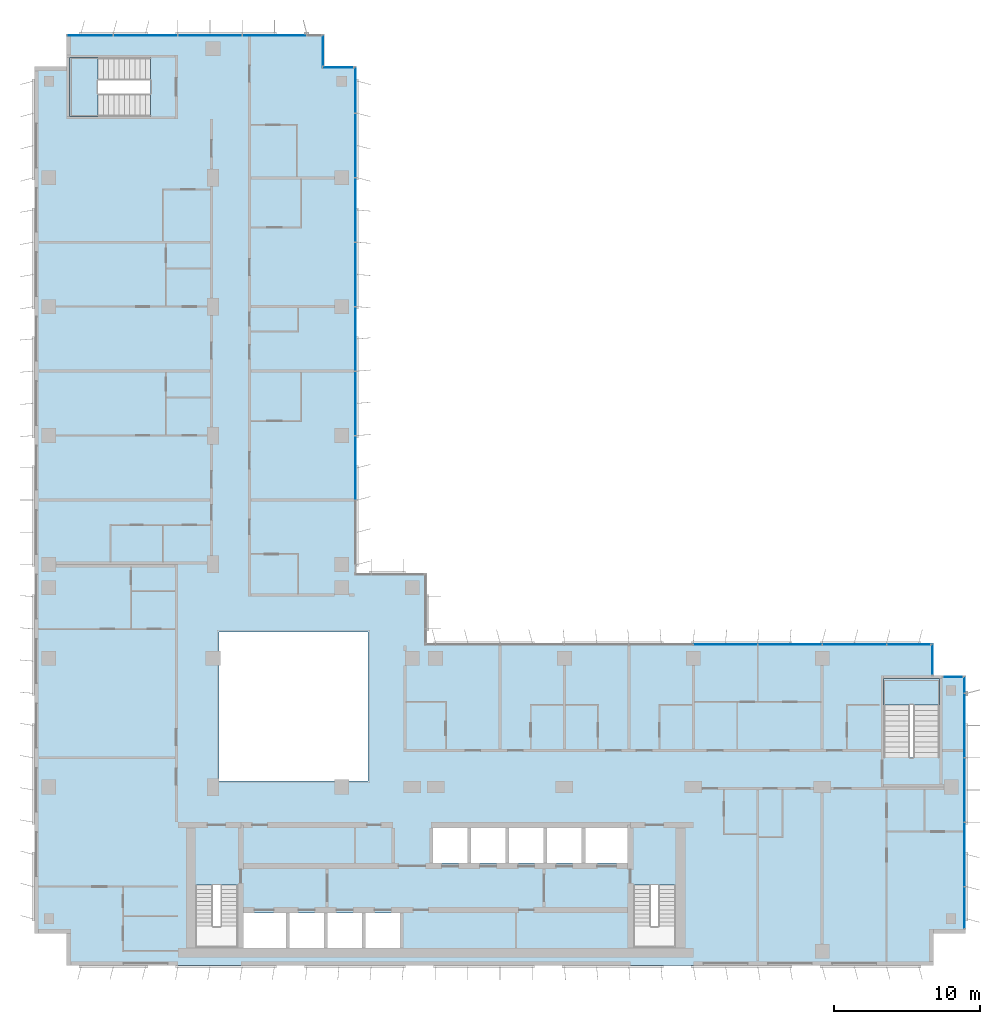
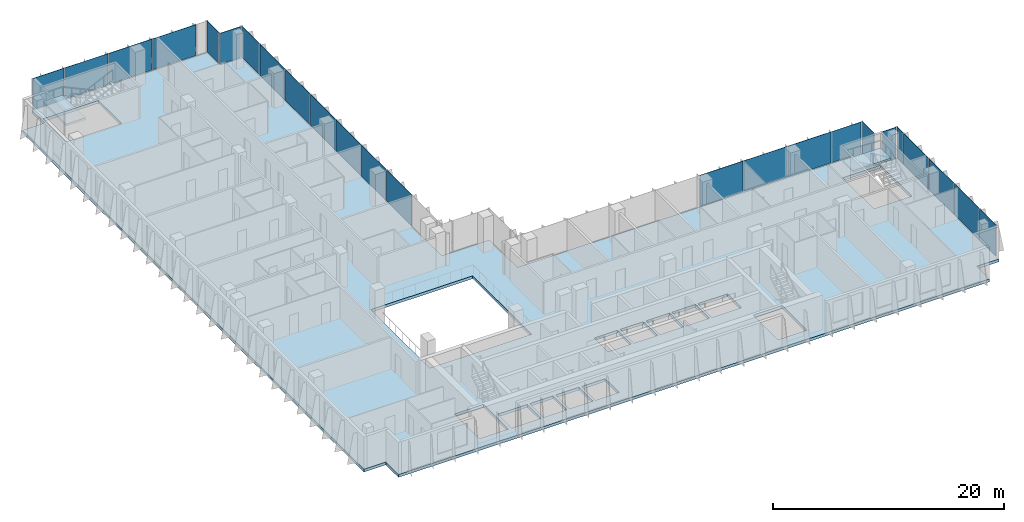
# One storey, part 11 of 21: 24 plates, 3 slabs, 10 elements without a shape of their own.
"""IFC4 building model written with IfcOpenShell, lengths in metres."""

import ifcopenshell
import ifcopenshell.guid

model = None  # the IFC model being written
_history = None  # IfcOwnerHistory: only IFC2X3 demands one
_inside = {}  # id of a spatial element -> (the spatial element, [elements in it])
_under = {}  # id of a project, library or spatial element -> (it, [spatial elements below it])
_declared = {}  # id of a project -> (the project, [libraries it declares])
_typed = {}  # id of a type object -> (the type object, [elements of that type])
_made_of = {}  # id of a material, layer set ... -> (it, [elements and type objects made of it])


def new_model(schema):
    """Start an empty IFC model of exactly this schema.

    Asked for "IFC4X3", IfcOpenShell would pick the latest addendum, in which some entities
    have other attributes; the version numbers below select the first issue.
    IFC2X3 requires an IfcOwnerHistory on every rooted entity: one is made here for all.
    """
    global model, _history
    if schema == "IFC4X3":
        model = ifcopenshell.file(schema_version=(4, 3, 0, 0))
    else:
        model = ifcopenshell.file(schema=schema)
    _inside.clear()
    _under.clear()
    _declared.clear()
    _typed.clear()
    _made_of.clear()
    _history = None
    if model.schema == "IFC2X3":
        org = make("IfcOrganization", Name="unknown")
        user = make(
            "IfcPersonAndOrganization",
            ThePerson=make("IfcPerson", FamilyName="unknown"),
            TheOrganization=org,
        )
        app = make(
            "IfcApplication",
            ApplicationDeveloper=org,
            Version="unknown",
            ApplicationFullName="unknown",
            ApplicationIdentifier="unknown",
        )
        _history = make(
            "IfcOwnerHistory",
            OwningUser=user,
            OwningApplication=app,
            ChangeAction="ADDED",
            CreationDate=0,
        )
    return model


def make(cls, **values):
    """One entity of the class cls with the attributes given. An attribute that is None is left unset."""
    return model.create_entity(
        cls, **{name: value for name, value in values.items() if value is not None}
    )


def rooted(cls, **values):
    """An entity with a GlobalId (a new one), such as an element, a storey or a relation."""
    return make(cls, GlobalId=ifcopenshell.guid.new(), OwnerHistory=_history, **values)


def si_unit(unit_type, name, prefix=None):
    """IfcSIUnit, for example si_unit("LENGTHUNIT", "METRE", prefix="MILLI")."""
    return make("IfcSIUnit", UnitType=unit_type, Prefix=prefix, Name=name)


def assignment(units):
    """IfcUnitAssignment: the units of a project."""
    return None if units is None else make("IfcUnitAssignment", Units=units)


def point(xyz):
    """IfcCartesianPoint."""
    return None if xyz is None else make("IfcCartesianPoint", Coordinates=xyz)


def direction(xyz):
    """IfcDirection."""
    return None if xyz is None else make("IfcDirection", DirectionRatios=xyz)


def frame(location, z_axis=None, x_axis=None):
    """IfcAxis2Placement3D, a coordinate frame: its origin and axes. An axis left out is left unset."""
    return make(
        "IfcAxis2Placement3D",
        Location=point(location),
        Axis=direction(z_axis),
        RefDirection=direction(x_axis),
    )


def frame_2d(location, x_axis=None):
    """IfcAxis2Placement2D, a coordinate frame in the plane: its origin and x axis."""
    return make(
        "IfcAxis2Placement2D", Location=point(location), RefDirection=direction(x_axis)
    )


def origin():
    """The frame at (0, 0, 0) with its axes left unset."""
    return frame((0.0, 0.0, 0.0))


def origin_2d():
    """The frame at (0, 0) in the plane with its x axis left unset."""
    return frame_2d((0.0, 0.0))


def place(relative_to, where):
    """IfcLocalPlacement: puts the frame where relative to a parent placement (None: the world)."""
    return make(
        "IfcLocalPlacement", PlacementRelTo=relative_to, RelativePlacement=where
    )


def context(
    kind, dimensions, precision=None, world=None, true_north=None, identifier=None
):
    """IfcGeometricRepresentationContext, for example the 3D "Model" context."""
    return make(
        "IfcGeometricRepresentationContext",
        ContextIdentifier=identifier,
        ContextType=kind,
        CoordinateSpaceDimension=dimensions,
        Precision=precision,
        WorldCoordinateSystem=world,
        TrueNorth=true_north,
    )


def subcontext(parent, identifier, kind, view, scale=None):
    """IfcGeometricRepresentationSubContext, for example "Body" below "Model"."""
    return make(
        "IfcGeometricRepresentationSubContext",
        ContextIdentifier=identifier,
        ContextType=kind,
        ParentContext=parent,
        TargetScale=scale,
        TargetView=view,
    )


def project(units=None, contexts=None):
    """IfcProject with its units and contexts."""
    return rooted(
        "IfcProject",
        Name="project",
        RepresentationContexts=contexts,
        UnitsInContext=assignment(units),
    )


def spatial(cls, under=None, at=None, **own):
    """A site, building, storey or space (cls), placed at a placement, below another one or the project."""
    s = rooted(cls, ObjectPlacement=at, **own)
    if under is not None:
        _under.setdefault(under.id(), (under, []))[1].append(s)
    return s


def polyline(points):
    """IfcPolyline through the points."""
    return make("IfcPolyline", Points=[point(p) for p in points])


def profile(cls, at=None, kind="AREA", **sizes):
    """A parametric profile (cls). Its sizes go by their IFC names, for example OverallWidth=200.0."""
    return make(cls, ProfileType=kind, Position=at, **sizes)


def rectangle(**sizes):
    """IfcRectangleProfileDef."""
    return profile("IfcRectangleProfileDef", **sizes)


def outline(outer, holes=None, kind="AREA"):
    """IfcArbitraryClosedProfileDef: a profile drawn as a closed curve; with holes, ...WithVoids."""
    if holes is None:
        return make("IfcArbitraryClosedProfileDef", ProfileType=kind, OuterCurve=outer)
    return make(
        "IfcArbitraryProfileDefWithVoids",
        ProfileType=kind,
        OuterCurve=outer,
        InnerCurves=holes,
    )


def extrude(swept, where, along, depth):
    """IfcExtrudedAreaSolid: the profile swept, set in the frame where, extruded along a direction by depth."""
    return make(
        "IfcExtrudedAreaSolid",
        SweptArea=swept,
        Position=where,
        ExtrudedDirection=direction(along),
        Depth=depth,
    )


def shape(context_of_items, identifier, shape_type, items):
    """IfcShapeRepresentation: the items that make up one representation, for example the "Body"."""
    return make(
        "IfcShapeRepresentation",
        ContextOfItems=context_of_items,
        RepresentationIdentifier=identifier,
        RepresentationType=shape_type,
        Items=items,
    )


def source(mapping_origin, context_of_items, identifier, shape_type, items):
    """IfcRepresentationMap: a shape defined once, which mapped items show again and again."""
    return make(
        "IfcRepresentationMap",
        MappingOrigin=mapping_origin,
        MappedRepresentation=shape(context_of_items, identifier, shape_type, items),
    )


def transform(
    local_origin,
    x_axis=None,
    y_axis=None,
    z_axis=None,
    scale=None,
    scale2=None,
    scale3=None,
    uniform=True,
):
    """IfcCartesianTransformationOperator3D, or its non-uniform kind. x_axis, y_axis, z_axis: its Axis1, 2, 3."""
    if uniform:
        return make(
            "IfcCartesianTransformationOperator3D",
            Axis1=direction(x_axis),
            Axis2=direction(y_axis),
            LocalOrigin=point(local_origin),
            Scale=scale,
            Axis3=direction(z_axis),
        )
    return make(
        "IfcCartesianTransformationOperator3DnonUniform",
        Axis1=direction(x_axis),
        Axis2=direction(y_axis),
        LocalOrigin=point(local_origin),
        Scale=scale,
        Axis3=direction(z_axis),
        Scale2=scale2,
        Scale3=scale3,
    )


def mapped(mapping_source, mapping_target):
    """IfcMappedItem: shows the shape of a source again, moved by a transform."""
    return make(
        "IfcMappedItem", MappingSource=mapping_source, MappingTarget=mapping_target
    )


def material(Name=None, Category=None):
    """IfcMaterial."""
    return make("IfcMaterial", Name=Name, Category=Category)


def layer(
    of_material, thickness, ventilated=None, Name=None, Category=None, Priority=None
):
    """IfcMaterialLayer: one layer of a wall or slab, of a material (None: an air gap)."""
    return make(
        "IfcMaterialLayer",
        Material=of_material,
        LayerThickness=thickness,
        IsVentilated=ventilated,
        Name=Name,
        Category=Category,
        Priority=Priority,
    )


def layer_set(layers, Name=None):
    """IfcMaterialLayerSet."""
    return make("IfcMaterialLayerSet", MaterialLayers=layers, LayerSetName=Name)


def made_of(thing, what):
    """Note that an element or type object is made of a material, layer set ...; save() writes the relation."""
    if what is not None:
        _made_of.setdefault(what.id(), (what, []))[1].append(thing)
    return thing


def type_object(cls, material=None, **own):
    """A type object (cls), such as IfcWallType, which elements share."""
    return made_of(rooted(cls, **own), material)


def element(
    cls,
    number,
    at=None,
    inside=None,
    cuts=None,
    type_object=None,
    material=None,
    context=None,
    identifier="Body",
    shape_type=None,
    held_by="IfcProductDefinitionShape",
    body=None,
    shapes=None,
    **own,
):
    """One element of the class cls, such as IfcWall. Its Tag is "e" and its number.

    at: its placement. inside: the storey or other place that contains it. cuts: it is an
    opening in that element (IfcRelVoidsElement). A single representation is given by context,
    identifier, shape_type and body (its items); several are given by shapes. held_by: the class
    of the entity that holds the representations. save() writes the other relations.
    """
    e = rooted(cls, Tag="e%d" % number, ObjectPlacement=at, **own)
    if body is not None:
        shapes = [shape(context, identifier, shape_type, body)]
    if shapes is not None:
        e.Representation = make(held_by, Representations=shapes)
    if inside is not None:
        _inside.setdefault(inside.id(), (inside, []))[1].append(e)
    if cuts is not None:
        rooted(
            "IfcRelVoidsElement", RelatingBuildingElement=cuts, RelatedOpeningElement=e
        )
    if type_object is not None:
        _typed.setdefault(type_object.id(), (type_object, []))[1].append(e)
    return made_of(e, material)


def aggregate(whole, parts):
    """IfcRelAggregates: a whole, such as a stair, and the parts it consists of."""
    return rooted("IfcRelAggregates", RelatingObject=whole, RelatedObjects=parts)


def save(model, path):
    """Write the relations noted so far, then the file.

    IfcRelAggregates (storeys below a building ...), IfcRelContainedInSpatialStructure (elements
    in a storey), IfcRelDefinesByType, IfcRelAssociatesMaterial and IfcRelDeclares: one each for
    every whole, place, type object, material and project.
    """
    for whole, parts in _under.values():
        aggregate(whole, parts)
    for where, things in _inside.values():
        rooted(
            "IfcRelContainedInSpatialStructure",
            RelatedElements=things,
            RelatingStructure=where,
        )
    for kind, things in _typed.values():
        rooted("IfcRelDefinesByType", RelatedObjects=things, RelatingType=kind)
    for what, things in _made_of.values():
        rooted("IfcRelAssociatesMaterial", RelatedObjects=things, RelatingMaterial=what)
    for by, libraries in _declared.values():
        rooted("IfcRelDeclares", RelatingContext=by, RelatedDefinitions=libraries)
    model.write(path)


model = new_model("IFC4")

# Units and contexts
model_context = context("Model", 3, precision=1e-05, world=origin(), true_north=direction((0.0, 1.0)))
body_context = subcontext(model_context, "Body", "Model", "MODEL_VIEW")
ifc_project = project(units=[si_unit("LENGTHUNIT", "METRE"), si_unit("AREAUNIT", "SQUARE_METRE"), si_unit("VOLUMEUNIT", "CUBIC_METRE"), si_unit("PLANEANGLEUNIT", "RADIAN"), si_unit("MASSUNIT", "GRAM", prefix="KILO")], contexts=[model_context])

# Site, building, storey
site_placement = place(None, origin())
site = spatial("IfcSite", under=ifc_project, at=site_placement, CompositionType="ELEMENT")
building_placement = place(site_placement, origin())
building = spatial("IfcBuilding", under=site, at=building_placement, Name="Kemantara Hotel Tower", CompositionType="ELEMENT")
storey_placement = place(building_placement, frame((0.0, 0.0, 211.699951171875)))
storey = spatial("IfcBuildingStorey", under=building, at=storey_placement, Name="L52", CompositionType="ELEMENT", Elevation=211.699951171875)

# Slab
ifc_material_1 = material(Name="Concrete fc 40 MPa", Category="concrete")
ifc_layer_1 = layer(ifc_material_1, 0.300048828125)
ifc_layer_set_1 = layer_set([ifc_layer_1], Name="Concrete fc 40 MPa")
slab_type_1 = type_object("IfcSlabType", Name="POST-TENSIONED FLAT PLATE 300", PredefinedType="FLOOR", material=ifc_layer_set_1)
slab_1_placement = place(storey_placement, frame((0.0, 0.0, -0.300048828125)))
element("IfcSlab", 1, at=slab_1_placement, inside=storey, type_object=slab_type_1, Name="FLOOR SLAB L52", PredefinedType="FLOOR", context=body_context, shape_type="SweptSolid", body=[
    extrude(outline(polyline([(22.0, 26.800048828125), (22.0, 61.39990234375), (19.800048828125, 61.39990234375), (19.800048828125, 63.60009765625), (2.199951171875, 63.60009765625), (2.199951171875, 61.39990234375), (0.0, 61.39990234375), (0.0, 2.199951171875), (2.199951171875, 2.199951171875), (2.199951171875, 0.0), (61.39990234375, 0.0), (61.39990234375, 2.199951171875), (63.60009765625, 2.199951171875), (63.60009765625, 19.800048828125), (61.39990234375, 19.800048828125), (61.39990234375, 22.0), (26.800048828125, 22.0), (26.800048828125, 26.800048828125), (22.0, 26.800048828125)]), holes=[polyline([(17.175048828125, 3.60009765625), (17.175048828125, 1.199951171875), (14.22509765625, 1.199951171875), (14.22509765625, 3.60009765625), (17.175048828125, 3.60009765625)]), polyline([(19.77490234375, 1.199951171875), (17.425048828125, 1.199951171875), (17.425048828125, 3.60009765625), (19.77490234375, 3.60009765625), (19.77490234375, 1.199951171875)]), polyline([(22.375, 1.199951171875), (20.02490234375, 1.199951171875), (20.02490234375, 3.60009765625), (22.375, 3.60009765625), (22.375, 1.199951171875)]), polyline([(24.97509765625, 1.199951171875), (22.625, 1.199951171875), (22.625, 3.60009765625), (24.97509765625, 3.60009765625), (24.97509765625, 1.199951171875)]), polyline([(11.0, 1.199951171875), (11.0, 5.49951171875), (13.89990234375, 5.49951171875), (13.89990234375, 1.199951171875), (11.0, 1.199951171875)]), polyline([(22.800048828125, 12.60009765625), (12.60009765625, 12.60009765625), (12.60009765625, 22.800048828125), (22.800048828125, 22.800048828125), (22.800048828125, 12.60009765625)]), polyline([(2.39990234375, 62.0), (7.949462890625, 62.0), (7.949462890625, 58.0), (2.39990234375, 58.0), (2.39990234375, 62.0)]), polyline([(43.800048828125, 1.199951171875), (40.89990234375, 1.199951171875), (40.89990234375, 5.49951171875), (43.800048828125, 5.49951171875), (43.800048828125, 1.199951171875)]), polyline([(29.574951171875, 7.0), (27.22509765625, 7.0), (27.22509765625, 9.39990234375), (29.574951171875, 9.39990234375), (29.574951171875, 7.0)]), polyline([(32.175048828125, 7.0), (29.824951171875, 7.0), (29.824951171875, 9.39990234375), (32.175048828125, 9.39990234375), (32.175048828125, 7.0)]), polyline([(34.77490234375, 7.0), (32.425048828125, 7.0), (32.425048828125, 9.39990234375), (34.77490234375, 9.39990234375), (34.77490234375, 7.0)]), polyline([(37.375, 7.0), (35.02490234375, 7.0), (35.02490234375, 9.39990234375), (37.375, 9.39990234375), (37.375, 7.0)]), polyline([(40.574951171875, 7.0), (37.625, 7.0), (37.625, 9.39990234375), (40.574951171875, 9.39990234375), (40.574951171875, 7.0)]), polyline([(61.800048828125, 19.60009765625), (61.800048828125, 14.20068359375), (58.0, 14.20068359375), (58.0, 19.60009765625), (61.800048828125, 19.60009765625)])]), origin(), (0.0, 0.0, 1.0), 0.300048828125),
])

# Stair, slab
stair_type_1 = type_object("IfcStairType", Name="Stair 1800 wide 22 risers of 168 x 360 mm", PredefinedType="HALF_TURN_STAIR", material=ifc_material_1)
stair_1_placement = place(storey_placement, origin())
stair_1 = element("IfcStair", 2, at=stair_1_placement, inside=storey, type_object=stair_type_1, Name="L52 Exit stair ST3", PredefinedType="HALF_TURN_STAIR")
ifc_layer_2 = layer(ifc_material_1, 0.199951171875)
ifc_layer_set_2 = layer_set([ifc_layer_2], Name="Concrete fc 40 MPa")
slab_type_2 = type_object("IfcSlabType", Name="Stair landing 200 mm", PredefinedType="LANDING", material=ifc_layer_set_2)
slab_2_placement = place(storey_placement, frame((0.0, 0.0, 1.650146484375)))
slab_2 = element("IfcSlab", 3, at=slab_2_placement, type_object=slab_type_2, Name="ST3 landing 1", PredefinedType="LANDING", context=body_context, shape_type="SweptSolid", body=[
    extrude(outline(polyline([(61.800048828125, 17.800048828125), (61.800048828125, 19.60009765625), (58.0, 19.60009765625), (58.0, 17.800048828125), (61.800048828125, 17.800048828125)])), origin(), (0.0, 0.0, 1.0), 0.199951171875),
])
aggregate(stair_1, [slab_2])

stair_type_2 = type_object("IfcStairType", Name="Stair 1550 wide 22 risers of 168 x 360 mm", PredefinedType="HALF_TURN_STAIR", material=ifc_material_1)
stair_2_placement = place(storey_placement, origin())
stair_2 = element("IfcStair", 4, at=stair_2_placement, inside=storey, type_object=stair_type_2, Name="L52 Exit stair ST4", PredefinedType="HALF_TURN_STAIR")
slab_3_placement = place(storey_placement, frame((0.0, 0.0, 1.650146484375)))
slab_3 = element("IfcSlab", 5, at=slab_3_placement, type_object=slab_type_2, Name="ST4 landing 1", PredefinedType="LANDING", context=body_context, shape_type="SweptSolid", body=[
    extrude(outline(polyline([(4.35009765625, 62.0), (2.39990234375, 62.0), (2.39990234375, 58.0), (4.35009765625, 58.0), (4.35009765625, 62.0)])), origin(), (0.0, 0.0, 1.0), 0.199951171875),
])
aggregate(stair_2, [slab_3])

# Curtain wall, plate
ifc_material_2 = material(Name="Low-E tinted double insulated glass 36 mm", Category="glass")
curtain_wall_type = type_object("IfcCurtainWallType", Name="TOWER CURTAIN WALL, FRONT FACES", PredefinedType="USERDEFINED", material=ifc_material_2)
curtain_wall_1_placement = place(storey_placement, origin())
curtain_wall_1 = element("IfcCurtainWall", 6, at=curtain_wall_1_placement, inside=storey, type_object=curtain_wall_type, Name="CW4 L52 T3-R11-1", ObjectType="TOWER CURTAIN WALL, FRONT FACES", PredefinedType="USERDEFINED")
ifc_layer_3 = layer(ifc_material_2, 0.035888671875)
ifc_layer_set_3 = layer_set([ifc_layer_3], Name="Low-E tinted double insulated glass 36 mm")
plate_type = type_object("IfcPlateType", Name="TOWER CURTAIN WALL, FRONT FACES PANEL", PredefinedType="CURTAIN_PANEL", material=ifc_layer_set_3)
shared_shape_1 = source(origin(), body_context, "Body", "SweptSolid", [
    extrude(rectangle(XDim=2.81005859375, YDim=0.035888671875, at=origin_2d()), origin(), (0.0, 0.0, 1.0), 3.280029296875),
])
plate_1_placement = place(storey_placement, frame((63.52490234375, 3.965087890625, 0.1201171875), z_axis=(0.0, 0.0, 1.0), x_axis=(0.0, 1.0, 0.0)))
plate_1 = element("IfcPlate", 7, at=plate_1_placement, type_object=plate_type, Name="CW4 glass panel T3-R11-1.1", PredefinedType="CURTAIN_PANEL", context=body_context, shape_type="MappedRepresentation", body=[
    mapped(shared_shape_1, transform((0.0, 0.0, 0.0))),
])

# Curtain wall, plates
curtain_wall_2_placement = place(storey_placement, origin())
curtain_wall_2 = element("IfcCurtainWall", 8, at=curtain_wall_2_placement, inside=storey, type_object=curtain_wall_type, Name="CW4 L52 T3-R02-1", ObjectType="TOWER CURTAIN WALL, FRONT FACES", PredefinedType="USERDEFINED")
shared_shape_2 = source(origin(), body_context, "Body", "SweptSolid", [
    extrude(rectangle(XDim=4.340087890625, YDim=0.035888671875, at=origin_2d()), origin(), (0.0, 0.0, 1.0), 3.280029296875),
])
plate_2_placement = place(storey_placement, frame((16.39990234375, 63.52490234375, 0.1201171875), z_axis=(0.0, 0.0, 1.0), x_axis=(-1.0, 0.0, 0.0)))
plate_2 = element("IfcPlate", 9, at=plate_2_placement, type_object=plate_type, Name="CW4 glass panel T3-R02-1.2", PredefinedType="CURTAIN_PANEL", context=body_context, shape_type="MappedRepresentation", body=[
    mapped(shared_shape_2, transform((0.0, 0.0, 0.0))),
])
plate_3_placement = place(storey_placement, frame((12.0, 63.52490234375, 0.1201171875), z_axis=(0.0, 0.0, 1.0), x_axis=(-1.0, 0.0, 0.0)))
plate_3 = element("IfcPlate", 10, at=plate_3_placement, type_object=plate_type, Name="CW4 glass panel T3-R02-1.3", PredefinedType="CURTAIN_PANEL", context=body_context, shape_type="MappedRepresentation", body=[
    mapped(shared_shape_2, transform((0.0, 0.0, 0.0))),
])
plate_4_placement = place(storey_placement, frame((7.60009765625, 63.52490234375, 0.1201171875), z_axis=(0.0, 0.0, 1.0), x_axis=(-1.0, 0.0, 0.0)))
plate_4 = element("IfcPlate", 11, at=plate_4_placement, type_object=plate_type, Name="CW4 glass panel T3-R02-1.4", PredefinedType="CURTAIN_PANEL", context=body_context, shape_type="MappedRepresentation", body=[
    mapped(shared_shape_2, transform((0.0, 0.0, 0.0))),
])

# Plate
plate_5_placement = place(storey_placement, frame((63.52490234375, 7.60009765625, 0.1201171875), z_axis=(0.0, 0.0, 1.0), x_axis=(0.0, 1.0, 0.0)))
plate_5 = element("IfcPlate", 12, at=plate_5_placement, type_object=plate_type, Name="CW4 glass panel T3-R11-1.2", PredefinedType="CURTAIN_PANEL", context=body_context, shape_type="MappedRepresentation", body=[
    mapped(shared_shape_2, transform((0.0, 0.0, 0.0))),
])

plate_6_placement = place(storey_placement, frame((63.52490234375, 12.0, 0.1201171875), z_axis=(0.0, 0.0, 1.0), x_axis=(0.0, 1.0, 0.0)))
plate_6 = element("IfcPlate", 13, at=plate_6_placement, type_object=plate_type, Name="CW4 glass panel T3-R11-1.3", PredefinedType="CURTAIN_PANEL", context=body_context, shape_type="MappedRepresentation", body=[
    mapped(shared_shape_2, transform((0.0, 0.0, 0.0))),
])

plate_7_placement = place(storey_placement, frame((63.52490234375, 16.39990234375, 0.1201171875), z_axis=(0.0, 0.0, 1.0), x_axis=(0.0, 1.0, 0.0)))
plate_7 = element("IfcPlate", 14, at=plate_7_placement, type_object=plate_type, Name="CW4 glass panel T3-R11-1.4", PredefinedType="CURTAIN_PANEL", context=body_context, shape_type="MappedRepresentation", body=[
    mapped(shared_shape_2, transform((0.0, 0.0, 0.0))),
])

# Curtain wall, plates
curtain_wall_3_placement = place(storey_placement, origin())
curtain_wall_3 = element("IfcCurtainWall", 15, at=curtain_wall_3_placement, inside=storey, type_object=curtain_wall_type, Name="CW4 L52 T3-R14-1", ObjectType="TOWER CURTAIN WALL, FRONT FACES", PredefinedType="USERDEFINED")
plate_8_placement = place(storey_placement, frame((56.0, 21.925048828125, 0.1201171875), z_axis=(0.0, 0.0, 1.0), x_axis=(-1.0, 0.0, 0.0)))
plate_8 = element("IfcPlate", 16, at=plate_8_placement, type_object=plate_type, Name="CW4 glass panel T3-R14-1.2", PredefinedType="CURTAIN_PANEL", context=body_context, shape_type="MappedRepresentation", body=[
    mapped(shared_shape_2, transform((0.0, 0.0, 0.0))),
])
plate_9_placement = place(storey_placement, frame((51.60009765625, 21.925048828125, 0.1201171875), z_axis=(0.0, 0.0, 1.0), x_axis=(-1.0, 0.0, 0.0)))
plate_9 = element("IfcPlate", 17, at=plate_9_placement, type_object=plate_type, Name="CW4 glass panel T3-R14-1.3", PredefinedType="CURTAIN_PANEL", context=body_context, shape_type="MappedRepresentation", body=[
    mapped(shared_shape_2, transform((0.0, 0.0, 0.0))),
])
plate_10_placement = place(storey_placement, frame((47.199951171875, 21.925048828125, 0.1201171875), z_axis=(0.0, 0.0, 1.0), x_axis=(-1.0, 0.0, 0.0)))
plate_10 = element("IfcPlate", 18, at=plate_10_placement, type_object=plate_type, Name="CW4 glass panel T3-R14-1.4", PredefinedType="CURTAIN_PANEL", context=body_context, shape_type="MappedRepresentation", body=[
    mapped(shared_shape_2, transform((0.0, 0.0, 0.0))),
])

curtain_wall_4_placement = place(storey_placement, origin())
curtain_wall_4 = element("IfcCurtainWall", 19, at=curtain_wall_4_placement, inside=storey, type_object=curtain_wall_type, Name="CW4 L52 T3-R17-1", ObjectType="TOWER CURTAIN WALL, FRONT FACES", PredefinedType="USERDEFINED")
plate_11_placement = place(storey_placement, frame((21.925048828125, 34.0, 0.1201171875), z_axis=(0.0, 0.0, 1.0), x_axis=(0.0, 1.0, 0.0)))
plate_11 = element("IfcPlate", 20, at=plate_11_placement, type_object=plate_type, Name="CW4 glass panel T3-R17-1.3", PredefinedType="CURTAIN_PANEL", context=body_context, shape_type="MappedRepresentation", body=[
    mapped(shared_shape_2, transform((0.0, 0.0, 0.0))),
])
plate_12_placement = place(storey_placement, frame((21.925048828125, 38.39990234375, 0.1201171875), z_axis=(0.0, 0.0, 1.0), x_axis=(0.0, 1.0, 0.0)))
plate_12 = element("IfcPlate", 21, at=plate_12_placement, type_object=plate_type, Name="CW4 glass panel T3-R17-1.4", PredefinedType="CURTAIN_PANEL", context=body_context, shape_type="MappedRepresentation", body=[
    mapped(shared_shape_2, transform((0.0, 0.0, 0.0))),
])
plate_13_placement = place(storey_placement, frame((21.925048828125, 42.800048828125, 0.1201171875), z_axis=(0.0, 0.0, 1.0), x_axis=(0.0, 1.0, 0.0)))
plate_13 = element("IfcPlate", 22, at=plate_13_placement, type_object=plate_type, Name="CW4 glass panel T3-R17-1.5", PredefinedType="CURTAIN_PANEL", context=body_context, shape_type="MappedRepresentation", body=[
    mapped(shared_shape_2, transform((0.0, 0.0, 0.0))),
])
plate_14_placement = place(storey_placement, frame((21.925048828125, 47.199951171875, 0.1201171875), z_axis=(0.0, 0.0, 1.0), x_axis=(0.0, 1.0, 0.0)))
plate_14 = element("IfcPlate", 23, at=plate_14_placement, type_object=plate_type, Name="CW4 glass panel T3-R17-1.6", PredefinedType="CURTAIN_PANEL", context=body_context, shape_type="MappedRepresentation", body=[
    mapped(shared_shape_2, transform((0.0, 0.0, 0.0))),
])
plate_15_placement = place(storey_placement, frame((21.925048828125, 51.60009765625, 0.1201171875), z_axis=(0.0, 0.0, 1.0), x_axis=(0.0, 1.0, 0.0)))
plate_15 = element("IfcPlate", 24, at=plate_15_placement, type_object=plate_type, Name="CW4 glass panel T3-R17-1.7", PredefinedType="CURTAIN_PANEL", context=body_context, shape_type="MappedRepresentation", body=[
    mapped(shared_shape_2, transform((0.0, 0.0, 0.0))),
])
plate_16_placement = place(storey_placement, frame((21.925048828125, 56.0, 0.1201171875), z_axis=(0.0, 0.0, 1.0), x_axis=(0.0, 1.0, 0.0)))
plate_16 = element("IfcPlate", 25, at=plate_16_placement, type_object=plate_type, Name="CW4 glass panel T3-R17-1.8", PredefinedType="CURTAIN_PANEL", context=body_context, shape_type="MappedRepresentation", body=[
    mapped(shared_shape_2, transform((0.0, 0.0, 0.0))),
])

# Plate
shared_shape_3 = source(origin(), body_context, "Body", "SweptSolid", [
    extrude(rectangle(XDim=3.110107421875, YDim=0.035888671875, at=origin_2d()), origin(), (0.0, 0.0, 1.0), 3.280029296875),
])
plate_17_placement = place(storey_placement, frame((3.81494140625, 63.52490234375, 0.1201171875), z_axis=(0.0, 0.0, 1.0), x_axis=(-1.0, 0.0, 0.0)))
plate_17 = element("IfcPlate", 26, at=plate_17_placement, type_object=plate_type, Name="CW4 glass panel T3-R02-1.5", PredefinedType="CURTAIN_PANEL", context=body_context, shape_type="MappedRepresentation", body=[
    mapped(shared_shape_3, transform((0.0, 0.0, 0.0))),
])

aggregate(curtain_wall_2, [plate_2, plate_3, plate_4, plate_17])

plate_18_placement = place(storey_placement, frame((21.925048828125, 59.784912109375, 0.1201171875), z_axis=(0.0, 0.0, 1.0), x_axis=(0.0, 1.0, 0.0)))
plate_18 = element("IfcPlate", 27, at=plate_18_placement, type_object=plate_type, Name="CW4 glass panel T3-R17-1.9", PredefinedType="CURTAIN_PANEL", context=body_context, shape_type="MappedRepresentation", body=[
    mapped(shared_shape_3, transform((0.0, 0.0, 0.0))),
])

aggregate(curtain_wall_4, [plate_11, plate_12, plate_13, plate_14, plate_15, plate_16, plate_18])

# Curtain wall, plate
curtain_wall_5_placement = place(storey_placement, origin())
curtain_wall_5 = element("IfcCurtainWall", 28, at=curtain_wall_5_placement, inside=storey, type_object=curtain_wall_type, Name="CW4 L52 T3-R00-1", ObjectType="TOWER CURTAIN WALL, FRONT FACES", PredefinedType="USERDEFINED")
shared_shape_4 = source(origin(), body_context, "Body", "SweptSolid", [
    extrude(rectangle(XDim=2.080078125, YDim=0.035888671875, at=origin_2d()), origin(), (0.0, 0.0, 1.0), 3.280029296875),
])
plate_19_placement = place(storey_placement, frame((20.75, 61.324951171875, 0.1201171875), z_axis=(0.0, 0.0, 1.0), x_axis=(-1.0, 0.0, 0.0)))
plate_19 = element("IfcPlate", 29, at=plate_19_placement, type_object=plate_type, Name="CW4 glass panel T3-R00-1.1", PredefinedType="CURTAIN_PANEL", context=body_context, shape_type="MappedRepresentation", body=[
    mapped(shared_shape_4, transform((0.0, 0.0, 0.0))),
])
aggregate(curtain_wall_5, [plate_19])

curtain_wall_6_placement = place(storey_placement, origin())
curtain_wall_6 = element("IfcCurtainWall", 30, at=curtain_wall_6_placement, inside=storey, type_object=curtain_wall_type, Name="CW4 L52 T3-R01-1", ObjectType="TOWER CURTAIN WALL, FRONT FACES", PredefinedType="USERDEFINED")
plate_20_placement = place(storey_placement, frame((19.72509765625, 62.5, 0.1201171875), z_axis=(0.0, 0.0, 1.0), x_axis=(0.0, 1.0, 0.0)))
plate_20 = element("IfcPlate", 31, at=plate_20_placement, type_object=plate_type, Name="CW4 glass panel T3-R01-1.1", PredefinedType="CURTAIN_PANEL", context=body_context, shape_type="MappedRepresentation", body=[
    mapped(shared_shape_4, transform((0.0, 0.0, 0.0))),
])
aggregate(curtain_wall_6, [plate_20])

curtain_wall_7_placement = place(storey_placement, origin())
curtain_wall_7 = element("IfcCurtainWall", 32, at=curtain_wall_7_placement, inside=storey, type_object=curtain_wall_type, Name="CW4 L52 T3-R13-1", ObjectType="TOWER CURTAIN WALL, FRONT FACES", PredefinedType="USERDEFINED")
plate_21_placement = place(storey_placement, frame((61.324951171875, 20.89990234375, 0.1201171875), z_axis=(0.0, 0.0, 1.0), x_axis=(0.0, 1.0, 0.0)))
plate_21 = element("IfcPlate", 33, at=plate_21_placement, type_object=plate_type, Name="CW4 glass panel T3-R13-1.1", PredefinedType="CURTAIN_PANEL", context=body_context, shape_type="MappedRepresentation", body=[
    mapped(shared_shape_4, transform((0.0, 0.0, 0.0))),
])
aggregate(curtain_wall_7, [plate_21])

# Plate
shared_shape_5 = source(origin(), body_context, "Body", "SweptSolid", [
    extrude(rectangle(XDim=2.9599609375, YDim=0.035888671875, at=origin_2d()), origin(), (0.0, 0.0, 1.0), 3.280029296875),
])
plate_22_placement = place(storey_placement, frame((59.7099609375, 21.925048828125, 0.1201171875), z_axis=(0.0, 0.0, 1.0), x_axis=(-1.0, 0.0, 0.0)))
plate_22 = element("IfcPlate", 34, at=plate_22_placement, type_object=plate_type, Name="CW4 glass panel T3-R14-1.1", PredefinedType="CURTAIN_PANEL", context=body_context, shape_type="MappedRepresentation", body=[
    mapped(shared_shape_5, transform((0.0, 0.0, 0.0))),
])

aggregate(curtain_wall_3, [plate_22, plate_8, plate_9, plate_10])

shared_shape_6 = source(origin(), body_context, "Body", "SweptSolid", [
    extrude(rectangle(XDim=1.110107421875, YDim=0.035888671875, at=origin_2d()), origin(), (0.0, 0.0, 1.0), 3.280029296875),
])
plate_23_placement = place(storey_placement, frame((63.52490234375, 19.18505859375, 0.1201171875), z_axis=(0.0, 0.0, 1.0), x_axis=(0.0, 1.0, 0.0)))
plate_23 = element("IfcPlate", 35, at=plate_23_placement, type_object=plate_type, Name="CW4 glass panel T3-R11-1.5", PredefinedType="CURTAIN_PANEL", context=body_context, shape_type="MappedRepresentation", body=[
    mapped(shared_shape_6, transform((0.0, 0.0, 0.0))),
])

aggregate(curtain_wall_1, [plate_1, plate_5, plate_6, plate_7, plate_23])

# Curtain wall, plate
curtain_wall_8_placement = place(storey_placement, origin())
curtain_wall_8 = element("IfcCurtainWall", 36, at=curtain_wall_8_placement, inside=storey, type_object=curtain_wall_type, Name="CW4 L52 T3-R12-1", ObjectType="TOWER CURTAIN WALL, FRONT FACES", PredefinedType="USERDEFINED")
shared_shape_7 = source(origin(), body_context, "Body", "SweptSolid", [
    extrude(rectangle(XDim=1.330078125, YDim=0.035888671875, at=origin_2d()), origin(), (0.0, 0.0, 1.0), 3.280029296875),
])
plate_24_placement = place(storey_placement, frame((62.72509765625, 19.72509765625, 0.1201171875), z_axis=(0.0, 0.0, 1.0), x_axis=(-1.0, 0.0, 0.0)))
plate_24 = element("IfcPlate", 37, at=plate_24_placement, type_object=plate_type, Name="CW4 glass panel T3-R12-1.1", PredefinedType="CURTAIN_PANEL", context=body_context, shape_type="MappedRepresentation", body=[
    mapped(shared_shape_7, transform((0.0, 0.0, 0.0))),
])
aggregate(curtain_wall_8, [plate_24])

save(model, "model.ifc")
